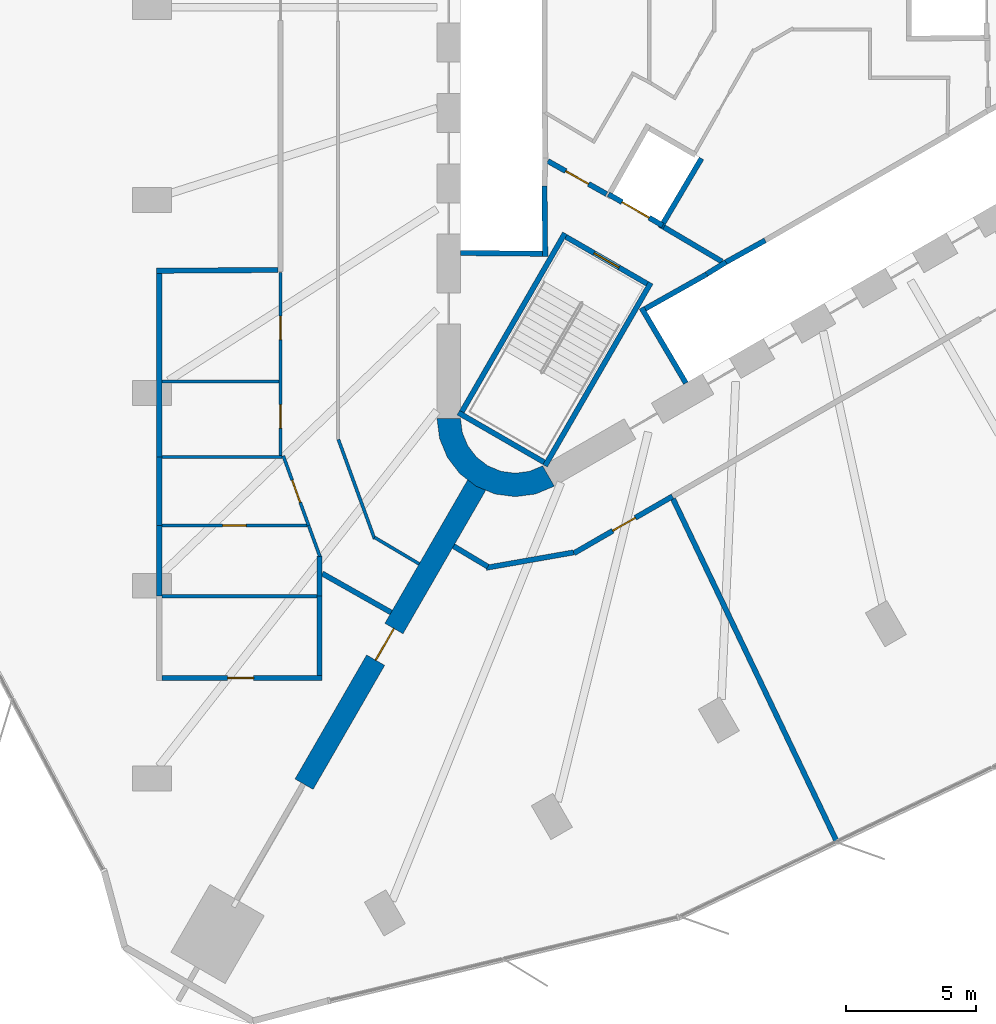
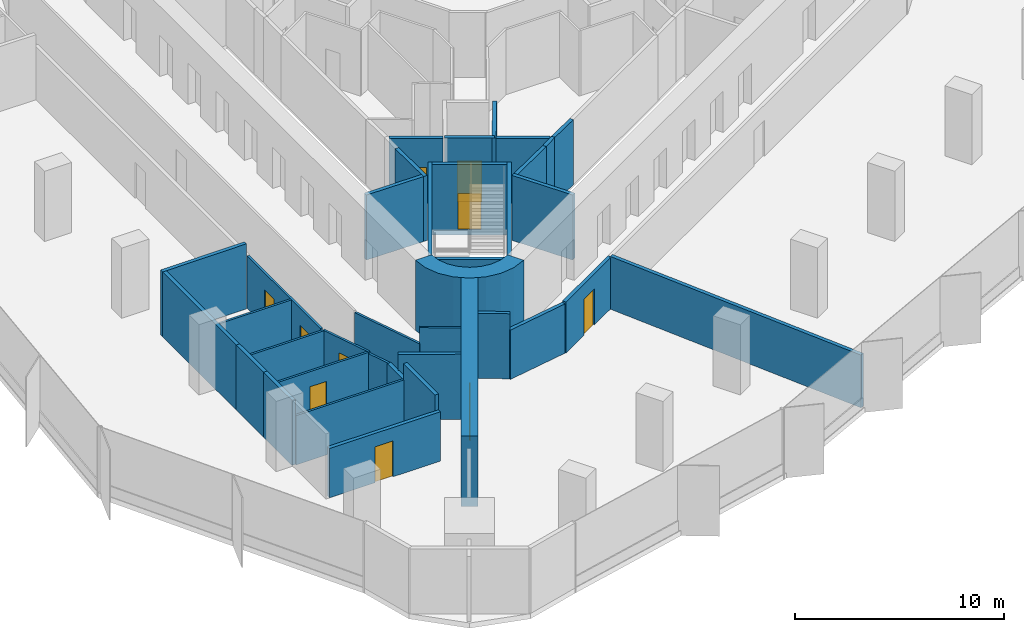
# One storey, part 9 of 15: 37 walls, 10 doors, 10 openings.
"""IFC4 building model written with IfcOpenShell, lengths in metres."""

from ifc_helpers import new_model, si_unit, direction, frame, frame_2d, origin, place, context, subcontext, project, spatial, polyline, rectangle, outline, extrude, material, layer, layer_set, type_object, element, fill, save


model = new_model("IFC4")

# Units and contexts
model_context = context("Model", 3, precision=1e-05, world=origin(), true_north=direction((0.0, 1.0)))
body_context = subcontext(model_context, "Body", "Model", "MODEL_VIEW")
ifc_project = project(units=[si_unit("LENGTHUNIT", "METRE"), si_unit("AREAUNIT", "SQUARE_METRE"), si_unit("VOLUMEUNIT", "CUBIC_METRE"), si_unit("PLANEANGLEUNIT", "RADIAN"), si_unit("MASSUNIT", "GRAM", prefix="KILO")], contexts=[model_context])

# Site, building, storey
site_placement = place(None, origin())
site = spatial("IfcSite", under=ifc_project, at=site_placement, CompositionType="ELEMENT")
building_placement = place(site_placement, origin())
building = spatial("IfcBuilding", under=site, at=building_placement, Name="Tanit Gate Tower", CompositionType="ELEMENT")
storey_placement = place(building_placement, frame((0.0, 0.0, 94.699951171875)))
storey = spatial("IfcBuildingStorey", under=building, at=storey_placement, Name="L19", CompositionType="ELEMENT", Elevation=94.699951171875)

# Wall, opening, door
ifc_material_1 = material(Name="Concrete C60/75", Category="concrete")
ifc_layer_1 = layer(ifc_material_1, 0.800048828125)
ifc_layer_set_1 = layer_set([ifc_layer_1], Name="BUTTRESS FIN 800 C60/75")
wall_type_1 = type_object("IfcWallType", Name="BUTTRESS FIN 800 C60/75", PredefinedType="SHEAR", material=ifc_layer_set_1)
wall_1_placement = place(storey_placement, frame((-10.574951171875, -18.31640625, 0.0), z_axis=(0.0, 0.0, 1.0), x_axis=(-0.500006018292, -0.866021929094, 0.0)))
wall_1 = element("IfcWall", 1, at=wall_1_placement, inside=storey, type_object=wall_type_1, Name="BUTTRESS FIN", PredefinedType="SHEAR", context=body_context, shape_type="SweptSolid", body=[
    extrude(rectangle(XDim=13.240966796875, YDim=0.800048828125, at=frame_2d((6.62060546875, 0.0))), origin(), (0.0, 0.0, 1.0), 4.10009765625),
])
opening_1_placement = place(wall_1_placement, frame((6.35009765625, 0.0, 0.0)))
opening_1 = element("IfcOpeningElement", 2, at=opening_1_placement, cuts=wall_1, Name="Opening P14-S04-F-SW-1", PredefinedType="OPENING", context=body_context, shape_type="SweptSolid", body=[
    extrude(rectangle(XDim=1.39990234375, YDim=2.39990234375, at=frame_2d((0.699951171875, 1.199951171875))), frame((0.0, 0.41015625, 0.0), z_axis=(0.0, -1.0, 0.0), x_axis=(1.0, 0.0, 0.0)), (0.0, 0.0, 1.0), 0.820068359375),
])
ifc_material_2 = material(Name="Timber door leaf", Category="wood")
door_type_1 = type_object("IfcDoorType", Name="INT-DOOR-FIN-PAIR-1400", OperationType="NOTDEFINED", PredefinedType="NOTDEFINED", material=ifc_material_2)
door_1_placement = place(opening_1_placement, origin())
door_1 = element("IfcDoor", 3, at=door_1_placement, inside=storey, type_object=door_type_1, Name="Door P14-S04-F-SW-1", OperationType="DOUBLE_DOOR_SINGLE_SWING", OverallHeight=2.39990234375, OverallWidth=1.39990234375, PredefinedType="NOTDEFINED", context=body_context, shape_type="SweptSolid", body=[
    extrude(rectangle(XDim=1.39990234375, YDim=2.39990234375, at=frame_2d((0.699951171875, 1.199951171875))), frame((0.0, 0.02490234375, 0.0), z_axis=(0.0, -1.0, 0.0), x_axis=(1.0, 0.0, 0.0)), (0.0, 0.0, 1.0), 0.050048828125),
])
fill(opening_1, door_1)

# Walls
ifc_material_3 = material(Name="Concrete C60/75", Category="concrete")
ifc_layer_2 = layer(ifc_material_3, 0.89990234375)
ifc_layer_set_2 = layer_set([ifc_layer_2], Name="CORE WALL 900 C60/75")
wall_type_2 = type_object("IfcWallType", Name="CORE WALL 900 C60/75", PredefinedType="SHEAR", material=ifc_layer_set_2)
wall_2_placement = place(storey_placement, origin())
element("IfcWall", 4, at=wall_2_placement, inside=storey, type_object=wall_type_2, Name="CORE WALL CORNER", PredefinedType="SHEAR", context=body_context, shape_type="SweptSolid", body=[
    extrude(outline(polyline([(-12.10009765625, -15.76171875), (-11.997802734375, -16.5380859375), (-11.697998046875, -17.26171875), (-11.22119140625, -17.883056640625), (-10.60009765625, -18.359619140625), (-9.87646484375, -18.659423828125), (-9.10009765625, -18.76171875), (-8.323486328125, -18.659423828125), (-7.60009765625, -18.359619140625), (-8.050048828125, -17.580322265625), (-8.556396484375, -17.7900390625), (-9.10009765625, -17.86181640625), (-9.6435546875, -17.7900390625), (-10.14990234375, -17.580322265625), (-10.5849609375, -17.24658203125), (-10.918701171875, -16.811767578125), (-11.12841796875, -16.30517578125), (-11.199951171875, -15.76171875), (-12.10009765625, -15.76171875)])), origin(), (0.0, 0.0, 1.0), 4.10009765625),
])
ifc_material_4 = material(Name="Fire-rated gypsum board partition")
ifc_layer_3 = layer(ifc_material_4, 0.199951171875)
ifc_layer_set_3 = layer_set([ifc_layer_3], Name="INT-WALL-COMPARTMENT")
wall_type_3 = type_object("IfcWallType", Name="INT-WALL-COMPARTMENT", PredefinedType="PARTITIONING", material=ifc_layer_set_3)
wall_3_placement = place(storey_placement, frame((-3.400634765625, -8.43017578125, 0.0), z_axis=(0.0, 0.0, 1.0), x_axis=(0.860615607571, -0.509255118781, 0.0)))
element("IfcWall", 5, at=wall_3_placement, inside=storey, type_object=wall_type_3, Name="Wall Compartment W063", PredefinedType="PARTITIONING", context=body_context, shape_type="SweptSolid", body=[
    extrude(rectangle(XDim=2.58056640625, YDim=0.199951171875, at=frame_2d((1.290283203125, 0.0))), origin(), (0.0, 0.0, 1.0), 3.800048828125),
])

# Wall, opening, door
wall_4_placement = place(storey_placement, frame((-7.849365234375, -5.893798828125, 0.0), z_axis=(0.0, 0.0, 1.0), x_axis=(0.871363259478, -0.490638431059, 0.0)))
wall_4 = element("IfcWall", 6, at=wall_4_placement, inside=storey, type_object=wall_type_3, Name="Wall Compartment W064", PredefinedType="PARTITIONING", context=body_context, shape_type="SweptSolid", body=[
    extrude(rectangle(XDim=2.5810546875, YDim=0.199951171875, at=frame_2d((1.29052734375, 0.0))), origin(), (0.0, 0.0, 1.0), 3.800048828125),
])
opening_2_placement = place(wall_4_placement, frame((0.79052734375, 0.0, 0.0)))
opening_2 = element("IfcOpeningElement", 7, at=opening_2_placement, cuts=wall_4, Name="Opening F10-S04-08", PredefinedType="OPENING", context=body_context, shape_type="SweptSolid", body=[
    extrude(rectangle(XDim=1.0, YDim=2.10009765625, at=frame_2d((0.5, 1.050048828125))), frame((0.0, 0.10986328125, 0.0), z_axis=(0.0, -1.0, 0.0), x_axis=(1.0, 0.0, 0.0)), (0.0, 0.0, 1.0), 0.219970703125),
])
ifc_material_5 = material(Name="Fire-rated steel door leaf", Category="steel")
door_type_2 = type_object("IfcDoorType", Name="INT-DOOR-FIRE-1000", OperationType="NOTDEFINED", PredefinedType="USERDEFINED", material=ifc_material_5)
door_2_placement = place(opening_2_placement, origin())
door_2 = element("IfcDoor", 8, at=door_2_placement, inside=storey, type_object=door_type_2, Name="Door F10-S04-08", ObjectType="FIRE DOOR", OperationType="SINGLE_SWING_LEFT", OverallHeight=2.10009765625, OverallWidth=1.0, PredefinedType="USERDEFINED", context=body_context, shape_type="SweptSolid", body=[
    extrude(rectangle(XDim=1.0, YDim=2.10009765625, at=frame_2d((0.5, 1.050048828125))), frame((0.0, 0.02490234375, 0.0), z_axis=(0.0, -1.0, 0.0), x_axis=(1.0, 0.0, 0.0)), (0.0, 0.0, 1.0), 0.050048828125),
])
fill(opening_2, door_2)

# Wall
wall_5_placement = place(storey_placement, frame((-16.5, -21.706298828125, 0.0), z_axis=(0.0, 0.0, 1.0), x_axis=(0.870637705421, -0.491924776668, 0.0)))
element("IfcWall", 9, at=wall_5_placement, inside=storey, type_object=wall_type_3, Name="Wall Compartment W092", PredefinedType="PARTITIONING", context=body_context, shape_type="SweptSolid", body=[
    extrude(rectangle(XDim=3.036376953125, YDim=0.199951171875, at=frame_2d((1.51806640625, 0.0))), origin(), (0.0, 0.0, 1.0), 3.800048828125),
])

# Wall, opening, door
wall_6_placement = place(storey_placement, frame((-6.852294921875, -20.930419921875, 0.0), z_axis=(0.0, 0.0, 1.0), x_axis=(0.865997465245, 0.500048387848, 0.0)))
wall_6 = element("IfcWall", 10, at=wall_6_placement, inside=storey, type_object=wall_type_3, Name="Wall Compartment W113", PredefinedType="PARTITIONING", context=body_context, shape_type="SweptSolid", body=[
    extrude(rectangle(XDim=4.36572265625, YDim=0.199951171875, at=frame_2d((2.182861328125, 0.0))), origin(), (0.0, 0.0, 1.0), 2.97998046875),
])
opening_3_placement = place(wall_6_placement, frame((1.720947265625, 0.0, 0.0)))
opening_3 = element("IfcOpeningElement", 11, at=opening_3_placement, cuts=wall_6, Name="Opening F10-S04-30", PredefinedType="OPENING", context=body_context, shape_type="SweptSolid", body=[
    extrude(rectangle(XDim=1.0, YDim=2.10009765625, at=frame_2d((0.5, 1.050048828125))), frame((0.0, 0.10986328125, 0.0), z_axis=(0.0, -1.0, 0.0), x_axis=(1.0, 0.0, 0.0)), (0.0, 0.0, 1.0), 0.219970703125),
])
door_3_placement = place(opening_3_placement, origin())
door_3 = element("IfcDoor", 12, at=door_3_placement, inside=storey, type_object=door_type_2, Name="Door F10-S04-30", ObjectType="FIRE DOOR", OperationType="SINGLE_SWING_RIGHT", OverallHeight=2.10009765625, OverallWidth=1.0, PredefinedType="USERDEFINED", context=body_context, shape_type="SweptSolid", body=[
    extrude(rectangle(XDim=1.0, YDim=2.10009765625, at=frame_2d((0.5, 1.050048828125))), frame((0.0, 0.02490234375, 0.0), z_axis=(0.0, -1.0, 0.0), x_axis=(1.0, 0.0, 0.0)), (0.0, 0.0, 1.0), 0.050048828125),
])
fill(opening_3, door_3)

# Walls
wall_7_placement = place(storey_placement, frame((-10.22021484375, -21.489501953125, 0.0), z_axis=(0.0, 0.0, 1.0), x_axis=(0.984805188344, 0.173662721995, 0.0)))
element("IfcWall", 13, at=wall_7_placement, inside=storey, type_object=wall_type_3, Name="Wall Compartment W114", PredefinedType="PARTITIONING", context=body_context, shape_type="SweptSolid", body=[
    extrude(rectangle(XDim=3.40771484375, YDim=0.199951171875, at=frame_2d((1.703857421875, 0.0))), origin(), (0.0, 0.0, 1.0), 2.880126953125),
])
wall_8_placement = place(storey_placement, frame((-11.46484375, -20.657470703125, 0.0), z_axis=(0.0, 0.0, 1.0), x_axis=(0.858376755127, -0.513019830276, 0.0)))
element("IfcWall", 14, at=wall_8_placement, inside=storey, type_object=wall_type_3, Name="Wall Compartment W115", PredefinedType="PARTITIONING", context=body_context, shape_type="SweptSolid", body=[
    extrude(rectangle(XDim=1.533203125, YDim=0.199951171875, at=frame_2d((0.7666015625, 0.0))), origin(), (0.0, 0.0, 1.0), 3.800048828125),
])
wall_9_placement = place(storey_placement, frame((-16.60009765625, -25.612548828125, 0.0), z_axis=(0.0, 0.0, 1.0), x_axis=(0.0, 1.0, 0.0)))
element("IfcWall", 15, at=wall_9_placement, inside=storey, type_object=wall_type_3, Name="Wall Compartment W135", PredefinedType="PARTITIONING", context=body_context, shape_type="SweptSolid", body=[
    extrude(rectangle(XDim=3.03515625, YDim=0.199951171875, at=frame_2d((1.517578125, 0.0))), origin(), (0.0, 0.0, 1.0), 3.800048828125),
])
wall_10_placement = place(storey_placement, frame((-16.60009765625, -22.577392578125, 0.0), z_axis=(0.0, 0.0, 1.0), x_axis=(0.0, 1.0, 0.0)))
element("IfcWall", 16, at=wall_10_placement, inside=storey, type_object=wall_type_3, Name="Wall Compartment W132", PredefinedType="PARTITIONING", context=body_context, shape_type="SweptSolid", body=[
    extrude(rectangle(XDim=1.541748046875, YDim=0.199951171875, at=frame_2d((0.77099609375, 0.0))), origin(), (0.0, 0.0, 1.0), 2.880126953125),
])
wall_11_placement = place(storey_placement, frame((-22.85009765625, -10.1005859375, 0.0), z_axis=(0.0, 0.0, 1.0), x_axis=(0.999979149644, 0.00645757523, 0.0)))
element("IfcWall", 17, at=wall_11_placement, inside=storey, type_object=wall_type_3, Name="Wall Compartment W127", PredefinedType="PARTITIONING", context=body_context, shape_type="SweptSolid", body=[
    extrude(rectangle(XDim=4.650146484375, YDim=0.199951171875, at=frame_2d((2.3251953125, 0.0))), origin(), (0.0, 0.0, 1.0), 3.800048828125),
])
wall_12_placement = place(storey_placement, frame((-22.75, -22.577392578125, 0.0), z_axis=(0.0, 0.0, 1.0), x_axis=(0.0, 1.0, 0.0)))
element("IfcWall", 18, at=wall_12_placement, inside=storey, type_object=wall_type_3, Name="Wall Compartment W131", PredefinedType="PARTITIONING", context=body_context, shape_type="SweptSolid", body=[
    extrude(rectangle(XDim=2.716552734375, YDim=0.199951171875, at=frame_2d((1.3583984375, 0.0))), origin(), (0.0, 0.0, 1.0), 3.800048828125),
])
wall_13_placement = place(storey_placement, frame((-22.75, -17.235107421875, 0.0), z_axis=(0.0, 0.0, 1.0), x_axis=(0.0, 1.0, 0.0)))
element("IfcWall", 19, at=wall_13_placement, inside=storey, type_object=wall_type_3, Name="Wall Compartment W129", PredefinedType="PARTITIONING", context=body_context, shape_type="SweptSolid", body=[
    extrude(rectangle(XDim=7.03515625, YDim=0.199951171875, at=frame_2d((3.517578125, 0.0))), origin(), (0.0, 0.0, 1.0), 3.800048828125),
])
wall_14_placement = place(storey_placement, frame((-22.75, -19.86083984375, 0.0), z_axis=(0.0, 0.0, 1.0), x_axis=(0.0, 1.0, 0.0)))
element("IfcWall", 20, at=wall_14_placement, inside=storey, type_object=wall_type_3, Name="Wall Compartment W130", PredefinedType="PARTITIONING", context=body_context, shape_type="SweptSolid", body=[
    extrude(rectangle(XDim=2.625732421875, YDim=0.199951171875, at=frame_2d((1.31298828125, 0.0))), origin(), (0.0, 0.0, 1.0), 3.800048828125),
])

# Wall, opening, door
wall_15_placement = place(storey_placement, frame((-22.64990234375, -25.71240234375, 0.0), z_axis=(0.0, 0.0, 1.0), x_axis=(1.0, 0.0, 0.0)))
wall_15 = element("IfcWall", 21, at=wall_15_placement, inside=storey, type_object=wall_type_3, Name="Wall Compartment W134", PredefinedType="PARTITIONING", context=body_context, shape_type="SweptSolid", body=[
    extrude(rectangle(XDim=6.14990234375, YDim=0.199951171875, at=frame_2d((3.074951171875, 0.0))), origin(), (0.0, 0.0, 1.0), 2.880126953125),
])
opening_4_placement = place(wall_15_placement, frame((2.52490234375, 0.0, 0.0)))
opening_4 = element("IfcOpeningElement", 22, at=opening_4_placement, cuts=wall_15, Name="Opening F10-S04-24", PredefinedType="OPENING", context=body_context, shape_type="SweptSolid", body=[
    extrude(rectangle(XDim=1.0, YDim=2.10009765625, at=frame_2d((0.5, 1.050048828125))), frame((0.0, 0.10986328125, 0.0), z_axis=(0.0, -1.0, 0.0), x_axis=(1.0, 0.0, 0.0)), (0.0, 0.0, 1.0), 0.219970703125),
])
door_4_placement = place(opening_4_placement, origin())
door_4 = element("IfcDoor", 23, at=door_4_placement, inside=storey, type_object=door_type_2, Name="Door F10-S04-24", ObjectType="FIRE DOOR", OperationType="SINGLE_SWING_LEFT", OverallHeight=2.10009765625, OverallWidth=1.0, PredefinedType="USERDEFINED", context=body_context, shape_type="SweptSolid", body=[
    extrude(rectangle(XDim=1.0, YDim=2.10009765625, at=frame_2d((0.5, 1.050048828125))), frame((0.0, 0.02490234375, 0.0), z_axis=(0.0, -1.0, 0.0), x_axis=(1.0, 0.0, 0.0)), (0.0, 0.0, 1.0), 0.050048828125),
])
fill(opening_4, door_4)

# Walls
wall_16_placement = place(storey_placement, frame((-3.049072265625, -18.849853515625, 0.0), z_axis=(0.0, 0.0, 1.0), x_axis=(0.431079326347, -0.902314033137, 0.0)))
element("IfcWall", 24, at=wall_16_placement, inside=storey, type_object=wall_type_3, Name="Wall Compartment W140", PredefinedType="PARTITIONING", context=body_context, shape_type="SweptSolid", body=[
    extrude(rectangle(XDim=14.561279296875, YDim=0.199951171875, at=frame_2d((7.28076171875, 0.0))), origin(), (0.0, 0.0, 1.0), 3.080078125),
])
ifc_material_6 = material(Name="Gypsum board partition")
ifc_layer_4 = layer(ifc_material_6, 0.1201171875)
ifc_layer_set_4 = layer_set([ifc_layer_4], Name="INT-WALL-PARTITION")
wall_type_4 = type_object("IfcWallType", Name="INT-WALL-PARTITION", PredefinedType="PARTITIONING", material=ifc_layer_set_4)
wall_17_placement = place(storey_placement, frame((-15.87939453125, -16.5673828125, 0.0), z_axis=(0.0, 0.0, 1.0), x_axis=(0.341999322503, -0.939700198685, 0.0)))
element("IfcWall", 25, at=wall_17_placement, inside=storey, type_object=wall_type_4, Name="Wall Partition W089", PredefinedType="PARTITIONING", context=body_context, shape_type="SweptSolid", body=[
    extrude(rectangle(XDim=4.053955078125, YDim=0.1201171875, at=frame_2d((2.02685546875, 0.0))), origin(), (0.0, 0.0, 1.0), 2.880126953125),
])
wall_18_placement = place(storey_placement, frame((-14.494140625, -20.322021484375, 0.0), z_axis=(0.0, 0.0, 1.0), x_axis=(0.859745408261, -0.510722853389, 0.0)))
element("IfcWall", 26, at=wall_18_placement, inside=storey, type_object=wall_type_4, Name="Wall Partition W090", PredefinedType="PARTITIONING", context=body_context, shape_type="SweptSolid", body=[
    extrude(rectangle(XDim=1.991455078125, YDim=0.1201171875, at=frame_2d((0.99560546875, 0.0))), origin(), (0.0, 0.0, 1.0), 3.800048828125),
])

# Wall, openings, doors
wall_19_placement = place(storey_placement, frame((-18.10009765625, -10.169921875, 0.0), z_axis=(0.0, 0.0, 1.0), x_axis=(0.0, -1.0, 0.0)))
wall_19 = element("IfcWall", 27, at=wall_19_placement, inside=storey, type_object=wall_type_4, Name="Wall Partition W099", PredefinedType="PARTITIONING", context=body_context, shape_type="SweptSolid", body=[
    extrude(rectangle(XDim=7.00537109375, YDim=0.1201171875, at=frame_2d((3.502685546875, 0.0))), origin(), (0.0, 0.0, 1.0), 3.080078125),
])
opening_5_placement = place(wall_19_placement, frame((1.670654296875, 0.0, 0.0)))
opening_5 = element("IfcOpeningElement", 28, at=opening_5_placement, cuts=wall_19, Name="Opening D09-S04-20", PredefinedType="OPENING", context=body_context, shape_type="SweptSolid", body=[
    extrude(rectangle(XDim=0.89990234375, YDim=2.10009765625, at=frame_2d((0.449951171875, 1.050048828125))), frame((0.0, 0.070068359375, 0.0), z_axis=(0.0, -1.0, 0.0), x_axis=(1.0, 0.0, 0.0)), (0.0, 0.0, 1.0), 0.14013671875),
])
opening_6_placement = place(wall_19_placement, frame((5.065185546875, 0.0, 0.0)))
opening_6 = element("IfcOpeningElement", 29, at=opening_6_placement, cuts=wall_19, Name="Opening D09-S04-21", PredefinedType="OPENING", context=body_context, shape_type="SweptSolid", body=[
    extrude(rectangle(XDim=0.89990234375, YDim=2.10009765625, at=frame_2d((0.449951171875, 1.050048828125))), frame((0.0, 0.070068359375, 0.0), z_axis=(0.0, -1.0, 0.0), x_axis=(1.0, 0.0, 0.0)), (0.0, 0.0, 1.0), 0.14013671875),
])
ifc_material_7 = material(Name="Timber door leaf", Category="wood")
door_type_3 = type_object("IfcDoorType", Name="INT-DOOR-SINGLE-900", OperationType="NOTDEFINED", PredefinedType="NOTDEFINED", material=ifc_material_7)
door_5_placement = place(opening_5_placement, origin())
door_5 = element("IfcDoor", 30, at=door_5_placement, inside=storey, type_object=door_type_3, Name="Door D09-S04-20", OperationType="SINGLE_SWING_LEFT", OverallHeight=2.10009765625, OverallWidth=0.89990234375, PredefinedType="NOTDEFINED", context=body_context, shape_type="SweptSolid", body=[
    extrude(rectangle(XDim=0.89990234375, YDim=2.10009765625, at=frame_2d((0.449951171875, 1.050048828125))), frame((0.0, 0.02490234375, 0.0), z_axis=(0.0, -1.0, 0.0), x_axis=(1.0, 0.0, 0.0)), (0.0, 0.0, 1.0), 0.050048828125),
])
fill(opening_5, door_5)
door_6_placement = place(opening_6_placement, origin())
door_6 = element("IfcDoor", 31, at=door_6_placement, inside=storey, type_object=door_type_3, Name="Door D09-S04-21", OperationType="SINGLE_SWING_RIGHT", OverallHeight=2.10009765625, OverallWidth=0.89990234375, PredefinedType="NOTDEFINED", context=body_context, shape_type="SweptSolid", body=[
    extrude(rectangle(XDim=0.89990234375, YDim=2.10009765625, at=frame_2d((0.449951171875, 1.050048828125))), frame((0.0, 0.02490234375, 0.0), z_axis=(0.0, -1.0, 0.0), x_axis=(1.0, 0.0, 0.0)), (0.0, 0.0, 1.0), 0.050048828125),
])
fill(opening_6, door_6)

# Wall, opening, door
wall_20_placement = place(storey_placement, frame((-17.991943359375, -17.19580078125, 0.0), z_axis=(0.0, 0.0, 1.0), x_axis=(0.341997880797, -0.939700723385, 0.0)))
wall_20 = element("IfcWall", 32, at=wall_20_placement, inside=storey, type_object=wall_type_4, Name="Wall Partition W101", PredefinedType="PARTITIONING", context=body_context, shape_type="SweptSolid", body=[
    extrude(rectangle(XDim=2.84619140625, YDim=0.1201171875, at=frame_2d((1.423095703125, 0.0))), origin(), (0.0, 0.0, 1.0), 2.97998046875),
])
opening_7_placement = place(wall_20_placement, frame((0.994140625, 0.0, 0.0)))
opening_7 = element("IfcOpeningElement", 33, at=opening_7_placement, cuts=wall_20, Name="Opening D09-S04-22", PredefinedType="OPENING", context=body_context, shape_type="SweptSolid", body=[
    extrude(rectangle(XDim=0.89990234375, YDim=2.10009765625, at=frame_2d((0.449951171875, 1.050048828125))), frame((0.0, 0.070068359375, 0.0), z_axis=(0.0, -1.0, 0.0), x_axis=(1.0, 0.0, 0.0)), (0.0, 0.0, 1.0), 0.14013671875),
])
door_7_placement = place(opening_7_placement, origin())
door_7 = element("IfcDoor", 34, at=door_7_placement, inside=storey, type_object=door_type_3, Name="Door D09-S04-22", OperationType="SINGLE_SWING_LEFT", OverallHeight=2.10009765625, OverallWidth=0.89990234375, PredefinedType="NOTDEFINED", context=body_context, shape_type="SweptSolid", body=[
    extrude(rectangle(XDim=0.89990234375, YDim=2.10009765625, at=frame_2d((0.449951171875, 1.050048828125))), frame((0.0, 0.02490234375, 0.0), z_axis=(0.0, -1.0, 0.0), x_axis=(1.0, 0.0, 0.0)), (0.0, 0.0, 1.0), 0.050048828125),
])
fill(opening_7, door_7)

# Walls
wall_21_placement = place(storey_placement, frame((-17.0185546875, -19.870361328125, 0.0), z_axis=(0.0, 0.0, 1.0), x_axis=(0.341976406316, -0.939708538603, 0.0)))
element("IfcWall", 35, at=wall_21_placement, inside=storey, type_object=wall_type_4, Name="Wall Partition W102", PredefinedType="PARTITIONING", context=body_context, shape_type="SweptSolid", body=[
    extrude(rectangle(XDim=1.260009765625, YDim=0.1201171875, at=frame_2d((0.6298828125, 0.0))), origin(), (0.0, 0.0, 1.0), 2.880126953125),
])
wall_22_placement = place(storey_placement, frame((-22.64990234375, -14.351318359375, 0.0), z_axis=(0.0, 0.0, 1.0), x_axis=(1.0, 0.0, 0.0)))
element("IfcWall", 36, at=wall_22_placement, inside=storey, type_object=wall_type_4, Name="Wall Partition W144", PredefinedType="PARTITIONING", context=body_context, shape_type="SweptSolid", body=[
    extrude(rectangle(XDim=4.489990234375, YDim=0.1201171875, at=frame_2d((2.2451171875, 0.0))), origin(), (0.0, 0.0, 1.0), 3.080078125),
])
wall_23_placement = place(storey_placement, frame((-18.04150390625, -17.235107421875, 0.0), z_axis=(0.0, 0.0, 1.0), x_axis=(-1.0, 0.0, 0.0)))
element("IfcWall", 37, at=wall_23_placement, inside=storey, type_object=wall_type_4, Name="Wall Partition W145", PredefinedType="PARTITIONING", context=body_context, shape_type="SweptSolid", body=[
    extrude(rectangle(XDim=4.6083984375, YDim=0.1201171875, at=frame_2d((2.30419921875, 0.0))), origin(), (0.0, 0.0, 1.0), 2.97998046875),
])

# Wall, opening, door
wall_24_placement = place(storey_placement, frame((-17.085693359375, -19.86083984375, 0.0), z_axis=(0.0, 0.0, 1.0), x_axis=(-1.0, 0.0, 0.0)))
wall_24 = element("IfcWall", 38, at=wall_24_placement, inside=storey, type_object=wall_type_4, Name="Wall Partition W146", PredefinedType="PARTITIONING", context=body_context, shape_type="SweptSolid", body=[
    extrude(rectangle(XDim=5.564208984375, YDim=0.1201171875, at=frame_2d((2.7822265625, 0.0))), origin(), (0.0, 0.0, 1.0), 2.97998046875),
])
opening_8_placement = place(wall_24_placement, frame((2.33203125, 0.0, 0.0)))
opening_8 = element("IfcOpeningElement", 39, at=opening_8_placement, cuts=wall_24, Name="Opening D09-S04-23", PredefinedType="OPENING", context=body_context, shape_type="SweptSolid", body=[
    extrude(rectangle(XDim=0.89990234375, YDim=2.10009765625, at=frame_2d((0.449951171875, 1.050048828125))), frame((0.0, 0.070068359375, 0.0), z_axis=(0.0, -1.0, 0.0), x_axis=(1.0, 0.0, 0.0)), (0.0, 0.0, 1.0), 0.14013671875),
])
door_8_placement = place(opening_8_placement, origin())
door_8 = element("IfcDoor", 40, at=door_8_placement, inside=storey, type_object=door_type_3, Name="Door D09-S04-23", OperationType="SINGLE_SWING_LEFT", OverallHeight=2.10009765625, OverallWidth=0.89990234375, PredefinedType="NOTDEFINED", context=body_context, shape_type="SweptSolid", body=[
    extrude(rectangle(XDim=0.89990234375, YDim=2.10009765625, at=frame_2d((0.449951171875, 1.050048828125))), frame((0.0, 0.02490234375, 0.0), z_axis=(0.0, -1.0, 0.0), x_axis=(1.0, 0.0, 0.0)), (0.0, 0.0, 1.0), 0.050048828125),
])
fill(opening_8, door_8)

# Walls
wall_25_placement = place(storey_placement, frame((-16.699951171875, -22.577392578125, 0.0), z_axis=(0.0, 0.0, 1.0), x_axis=(-1.0, 0.0, 0.0)))
element("IfcWall", 41, at=wall_25_placement, inside=storey, type_object=wall_type_4, Name="Wall Partition W147", PredefinedType="PARTITIONING", context=body_context, shape_type="SweptSolid", body=[
    extrude(rectangle(XDim=5.949951171875, YDim=0.1201171875, at=frame_2d((2.97509765625, 0.0))), origin(), (0.0, 0.0, 1.0), 2.880126953125),
])
ifc_material_8 = material(Name="Gypsum shaft wall system")
ifc_layer_5 = layer(ifc_material_8, 0.199951171875)
ifc_layer_set_5 = layer_set([ifc_layer_5], Name="INT-WALL-SHAFT")
wall_type_5 = type_object("IfcWallType", Name="INT-WALL-SHAFT", PredefinedType="PLUMBINGWALL", material=ifc_layer_set_5)
wall_26_placement = place(storey_placement, frame((-7.97900390625, -6.85009765625, 0.0), z_axis=(0.0, 0.0, 1.0), x_axis=(0.011121475088, -0.999938154483, 0.0)))
element("IfcWall", 42, at=wall_26_placement, inside=storey, type_object=wall_type_5, Name="Wall Shaft W011", PredefinedType="PLUMBINGWALL", context=body_context, shape_type="SweptSolid", body=[
    extrude(rectangle(XDim=2.7001953125, YDim=0.199951171875, at=frame_2d((1.35009765625, 0.0))), origin(), (0.0, 0.0, 1.0), 3.800048828125),
])
wall_27_placement = place(storey_placement, frame((-8.050048828125, -9.448974609375, 0.0), z_axis=(0.0, 0.0, 1.0), x_axis=(-0.999957467379, 0.009222983926, 0.0)))
element("IfcWall", 43, at=wall_27_placement, inside=storey, type_object=wall_type_5, Name="Wall Shaft W012", PredefinedType="PLUMBINGWALL", context=body_context, shape_type="SweptSolid", body=[
    extrude(rectangle(XDim=3.150146484375, YDim=0.199951171875, at=frame_2d((1.5751953125, 0.0))), origin(), (0.0, 0.0, 1.0), 3.800048828125),
])
wall_28_placement = place(storey_placement, frame((-2.557861328125, -14.409423828125, 0.0), z_axis=(0.0, 0.0, 1.0), x_axis=(-0.507997497166, 0.861358544901, 0.0)))
element("IfcWall", 44, at=wall_28_placement, inside=storey, type_object=wall_type_5, Name="Wall Shaft W027", PredefinedType="PLUMBINGWALL", context=body_context, shape_type="SweptSolid", body=[
    extrude(rectangle(XDim=3.350341796875, YDim=0.199951171875, at=frame_2d((1.67529296875, 0.0))), origin(), (0.0, 0.0, 1.0), 3.800048828125),
])
wall_29_placement = place(storey_placement, frame((-1.7685546875, -10.23681640625, 0.0), z_axis=(0.0, 0.0, 1.0), x_axis=(-0.871534483978, -0.490334215854, 0.0)))
element("IfcWall", 45, at=wall_29_placement, inside=storey, type_object=wall_type_5, Name="Wall Shaft W028", PredefinedType="PLUMBINGWALL", context=body_context, shape_type="SweptSolid", body=[
    extrude(rectangle(XDim=2.7001953125, YDim=0.199951171875, at=frame_2d((1.35009765625, 0.0))), origin(), (0.0, 0.0, 1.0), 3.800048828125),
])
wall_30_placement = place(storey_placement, frame((-1.02392578125, -9.77099609375, 0.0), z_axis=(0.0, 0.0, 1.0), x_axis=(-0.850348075135, -0.526220629693, 0.0)))
element("IfcWall", 46, at=wall_30_placement, inside=storey, type_object=wall_type_5, Name="Wall Shaft W029", PredefinedType="PLUMBINGWALL", context=body_context, shape_type="SweptSolid", body=[
    extrude(rectangle(XDim=0.878173828125, YDim=0.199951171875, at=frame_2d((0.43896484375, 0.0))), origin(), (0.0, 0.0, 1.0), 3.800048828125),
])
wall_31_placement = place(storey_placement, frame((-1.130126953125, -9.831298828125, 0.0), z_axis=(0.0, 0.0, 1.0), x_axis=(0.874269620932, 0.485440655401, 0.0)))
element("IfcWall", 47, at=wall_31_placement, inside=storey, type_object=wall_type_5, Name="Wall Shaft W030", PredefinedType="PLUMBINGWALL", context=body_context, shape_type="SweptSolid", body=[
    extrude(rectangle(XDim=1.8447265625, YDim=0.199951171875, at=frame_2d((0.92236328125, 0.0))), origin(), (0.0, 0.0, 1.0), 3.800048828125),
])

# Wall, opening, door
wall_32_placement = place(storey_placement, frame((-3.44580078125, -8.3681640625, 0.0), z_axis=(0.0, 0.0, 1.0), x_axis=(-0.866024647952, 0.500001309137, 0.0)))
wall_32 = element("IfcWall", 48, at=wall_32_placement, inside=storey, type_object=wall_type_5, Name="Wall Shaft W053", PredefinedType="PLUMBINGWALL", context=body_context, shape_type="SweptSolid", body=[
    extrude(rectangle(XDim=2.39990234375, YDim=0.199951171875, at=frame_2d((1.199951171875, 0.0))), origin(), (0.0, 0.0, 1.0), 3.800048828125),
])
opening_9_placement = place(wall_32_placement, frame((0.60009765625, 0.0, 0.0)))
opening_9 = element("IfcOpeningElement", 49, at=opening_9_placement, cuts=wall_32, Name="Opening LDFL3-L19", PredefinedType="OPENING", context=body_context, shape_type="SweptSolid", body=[
    extrude(rectangle(XDim=1.199951171875, YDim=2.39990234375, at=frame_2d((0.60009765625, 1.199951171875))), frame((0.0, 0.10986328125, 0.0), z_axis=(0.0, -1.0, 0.0), x_axis=(1.0, 0.0, 0.0)), (0.0, 0.0, 1.0), 0.219970703125),
])
ifc_material_9 = material(Name="Stainless steel sliding door leaf", Category="steel")
door_type_4 = type_object("IfcDoorType", Name="INT-DOOR-LANDING-1200", OperationType="NOTDEFINED", PredefinedType="USERDEFINED", material=ifc_material_9)
door_9_placement = place(opening_9_placement, origin())
door_9 = element("IfcDoor", 50, at=door_9_placement, inside=storey, type_object=door_type_4, Name="Door LDFL3-L19", ObjectType="LANDING DOOR", OperationType="SLIDING_TO_LEFT", OverallHeight=2.39990234375, OverallWidth=1.199951171875, PredefinedType="USERDEFINED", context=body_context, shape_type="SweptSolid", body=[
    extrude(rectangle(XDim=1.199951171875, YDim=2.39990234375, at=frame_2d((0.60009765625, 1.199951171875))), frame((0.0, 0.02490234375, 0.0), z_axis=(0.0, -1.0, 0.0), x_axis=(1.0, 0.0, 0.0)), (0.0, 0.0, 1.0), 0.050048828125),
])
fill(opening_9, door_9)

# Walls
wall_33_placement = place(storey_placement, frame((-1.960693359375, -5.796142578125, 0.0), z_axis=(0.0, 0.0, 1.0), x_axis=(-0.508647062354, -0.860975125052, 0.0)))
element("IfcWall", 51, at=wall_33_placement, inside=storey, type_object=wall_type_5, Name="Wall Shaft W054", PredefinedType="PLUMBINGWALL", context=body_context, shape_type="SweptSolid", body=[
    extrude(rectangle(XDim=3.10009765625, YDim=0.199951171875, at=frame_2d((1.550048828125, 0.0))), origin(), (0.0, 0.0, 1.0), 3.800048828125),
])
ifc_material_10 = material(Name="Concrete C40/50", Category="concrete")
ifc_layer_6 = layer(ifc_material_10, 0.199951171875)
ifc_layer_set_6 = layer_set([ifc_layer_6], Name="INT-WALL-STAIR")
wall_type_6 = type_object("IfcWallType", Name="INT-WALL-STAIR", PredefinedType="SHEAR", material=ifc_layer_set_6)
wall_34_placement = place(storey_placement, frame((-3.904541015625, -10.56298828125, -0.300048828125), z_axis=(0.0, 0.0, 1.0), x_axis=(-0.500012932018, -0.866017937352, 0.0)))
element("IfcWall", 52, at=wall_34_placement, inside=storey, type_object=wall_type_6, Name="Wall Stair W049", PredefinedType="SHEAR", context=body_context, shape_type="SweptSolid", body=[
    extrude(rectangle(XDim=8.099853515625, YDim=0.199951171875, at=frame_2d((4.0498046875, 0.0))), origin(), (0.0, 0.0, 1.0), 4.10009765625),
])
wall_35_placement = place(storey_placement, frame((-11.281982421875, -15.541015625, -0.300048828125), z_axis=(0.0, 0.0, 1.0), x_axis=(0.866000483506, -0.500043160704, 0.0)))
element("IfcWall", 53, at=wall_35_placement, inside=storey, type_object=wall_type_6, Name="Wall Stair W050", PredefinedType="SHEAR", context=body_context, shape_type="SweptSolid", body=[
    extrude(rectangle(XDim=3.800048828125, YDim=0.199951171875, at=frame_2d((1.89990234375, 0.0))), origin(), (0.0, 0.0, 1.0), 4.10009765625),
])
wall_36_placement = place(storey_placement, frame((-7.195556640625, -8.662841796875, -0.300048828125), z_axis=(0.0, 0.0, 1.0), x_axis=(-0.499997992926, -0.866026562566, 0.0)))
element("IfcWall", 54, at=wall_36_placement, inside=storey, type_object=wall_type_6, Name="Wall Stair W051", PredefinedType="SHEAR", context=body_context, shape_type="SweptSolid", body=[
    extrude(rectangle(XDim=7.89990234375, YDim=0.199951171875, at=frame_2d((3.949951171875, 0.0))), origin(), (0.0, 0.0, 1.0), 4.10009765625),
])

# Wall, opening, door
wall_37_placement = place(storey_placement, frame((-4.041259765625, -10.599365234375, -0.300048828125), z_axis=(0.0, 0.0, 1.0), x_axis=(-0.866047807691, 0.499961193289, 0.0)))
wall_37 = element("IfcWall", 55, at=wall_37_placement, inside=storey, type_object=wall_type_6, Name="Wall Stair W052", PredefinedType="SHEAR", context=body_context, shape_type="SweptSolid", body=[
    extrude(rectangle(XDim=3.599853515625, YDim=0.199951171875, at=frame_2d((1.7998046875, 0.0))), origin(), (0.0, 0.0, 1.0), 4.10009765625),
])
opening_10_placement = place(wall_37_placement, frame((1.25, 0.0, 0.300048828125)))
opening_10 = element("IfcOpeningElement", 56, at=opening_10_placement, cuts=wall_37, Name="Opening S11-S04-07", PredefinedType="OPENING", context=body_context, shape_type="SweptSolid", body=[
    extrude(rectangle(XDim=1.10009765625, YDim=2.10009765625, at=frame_2d((0.550048828125, 1.050048828125))), frame((0.0, 0.10986328125, 0.0), z_axis=(0.0, -1.0, 0.0), x_axis=(1.0, 0.0, 0.0)), (0.0, 0.0, 1.0), 0.219970703125),
])
ifc_material_11 = material(Name="Timber door leaf", Category="wood")
door_type_5 = type_object("IfcDoorType", Name="INT-DOOR-STAIR-1100", OperationType="NOTDEFINED", PredefinedType="USERDEFINED", material=ifc_material_11)
door_10_placement = place(opening_10_placement, origin())
door_10 = element("IfcDoor", 57, at=door_10_placement, inside=storey, type_object=door_type_5, Name="Door S11-S04-07", ObjectType="FIRE DOOR", OperationType="SINGLE_SWING_LEFT", OverallHeight=2.10009765625, OverallWidth=1.10009765625, PredefinedType="USERDEFINED", context=body_context, shape_type="SweptSolid", body=[
    extrude(rectangle(XDim=1.10009765625, YDim=2.10009765625, at=frame_2d((0.550048828125, 1.050048828125))), frame((0.0, 0.02490234375, 0.0), z_axis=(0.0, -1.0, 0.0), x_axis=(1.0, 0.0, 0.0)), (0.0, 0.0, 1.0), 0.050048828125),
])
fill(opening_10, door_10)

save(model, "model.ifc")
